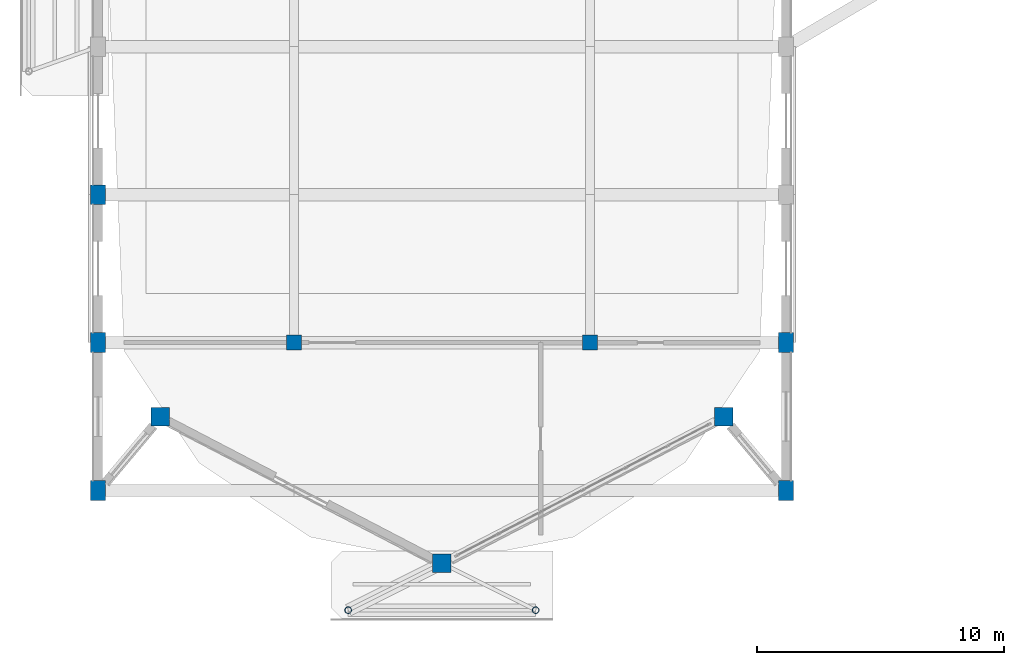
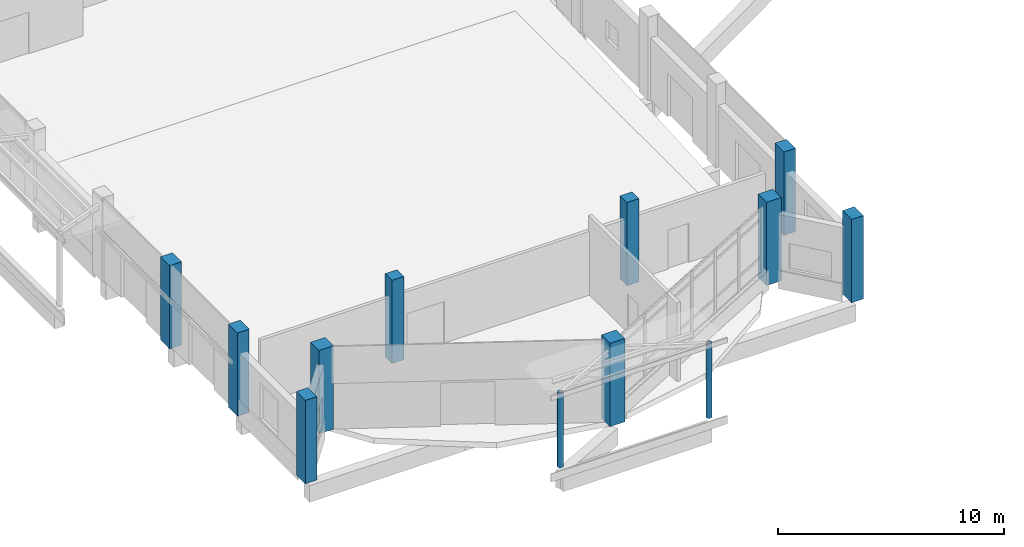
# One storey, part 1 of 129: 12 columns.
"""IFC4 building model written with IfcOpenShell, lengths in metres."""

from ifc_helpers import new_model, si_unit, direction, frame, origin, origin_2d, place, context, subcontext, project, spatial, rectangle, hollow_circle, extrude, material, material_profile, profile_set, type_object, element, save


model = new_model("IFC4")

# Units and contexts
model_context = context("Model", 3, precision=1e-05, world=origin(), true_north=direction((0.0, 1.0)))
body_context = subcontext(model_context, "Body", "Model", "MODEL_VIEW")
ifc_project = project(units=[si_unit("LENGTHUNIT", "METRE"), si_unit("AREAUNIT", "SQUARE_METRE"), si_unit("VOLUMEUNIT", "CUBIC_METRE"), si_unit("PLANEANGLEUNIT", "RADIAN"), si_unit("MASSUNIT", "GRAM", prefix="KILO")], contexts=[model_context])

# Site, building, storey
site_placement = place(None, origin())
site = spatial("IfcSite", under=ifc_project, at=site_placement, CompositionType="ELEMENT")
building_placement = place(site_placement, origin())
building = spatial("IfcBuilding", under=site, at=building_placement, Name="Vespera Passage Community Centre", CompositionType="ELEMENT")
storey_placement = place(building_placement, origin())
storey = spatial("IfcBuildingStorey", under=building, at=storey_placement, Name="L00", CompositionType="ELEMENT", Elevation=0.0)

# Columns
ifc_material_1 = material(Name="Steel ASTM A500 Grade C", Category="steel")
ifc_material_profile_1 = material_profile(ifc_material_1, hollow_circle(Radius=0.136474609375, WallThickness=0.01171875, at=origin_2d()), Name="CHS273X12.7")
ifc_profile_set_1 = profile_set([ifc_material_profile_1], Name="Steel ASTM A500 Grade C")
column_type_1 = type_object("IfcColumnType", Name="COL-CHS273E", PredefinedType="COLUMN", material=ifc_profile_set_1)
for number, where, z_axis, x_axis, name in (
    (1, (14.199951171875, 2.14990234375, 0.0), (0.0, 0.0, 1.0), (1.0, 0.0, 0.0), "L00 Pier EC2-C01"),
    (2, (21.800048828125, 2.14990234375, 0.0), (0.0, 0.0, 1.0), (1.0, 0.0, 0.0), "L00 Pier EC2-C02"),
):
    element("IfcColumn", number, at=place(storey_placement, frame(where, z_axis=z_axis, x_axis=x_axis)), inside=storey, type_object=column_type_1, Name=name, PredefinedType="COLUMN", context=body_context, shape_type="SweptSolid", body=[
        extrude(hollow_circle(Radius=0.136474609375, WallThickness=0.01171875, at=origin_2d()), origin(), (0.0, 0.0, 1.0), 4.010009765625),
    ])
ifc_material_2 = material(Name="Concrete f'c 45 MPa", Category="concrete")
ifc_material_profile_2 = material_profile(ifc_material_2, rectangle(XDim=0.60009765625, YDim=0.60009765625, at=origin_2d()), Name="RC600X600")
ifc_profile_set_2 = profile_set([ifc_material_profile_2], Name="Concrete f'c 45 MPa")
column_type_2 = type_object("IfcColumnType", Name="COL-RC600I", PredefinedType="COLUMN", material=ifc_profile_set_2)
for number, where, z_axis, x_axis, name in (
    (3, (12.0, 13.0, 0.0), (0.0, 0.0, 1.0), (1.0, 0.0, 0.0), "L00 Column V1-B1-11"),
    (4, (24.0, 13.0, 0.0), (0.0, 0.0, 1.0), (1.0, 0.0, 0.0), "L00 Column V1-B1-21"),
):
    element("IfcColumn", number, at=place(storey_placement, frame(where, z_axis=z_axis, x_axis=x_axis)), inside=storey, type_object=column_type_2, Name=name, PredefinedType="COLUMN", context=body_context, shape_type="SweptSolid", body=[
        extrude(rectangle(XDim=0.60009765625, YDim=0.60009765625, at=origin_2d()), origin(), (0.0, 0.0, 1.0), 4.5),
    ])
ifc_material_3 = material(Name="Concrete f'c 45 MPa", Category="concrete")
ifc_material_profile_3 = material_profile(ifc_material_3, rectangle(XDim=0.75, YDim=0.75, at=origin_2d()), Name="RC750X750")
ifc_profile_set_3 = profile_set([ifc_material_profile_3], Name="Concrete f'c 45 MPa")
column_type_3 = type_object("IfcColumnType", Name="COL-RC750E", PredefinedType="COLUMN", material=ifc_profile_set_3)
for number, where, z_axis, x_axis, name in (
    (5, (6.57275390625, 9.99853515625, 0.0), (0.0, 0.0, 1.0), (1.0, 0.0, 0.0), "L00 Column V1-AS1"),
    (6, (18.0, 4.050048828125, 0.0), (0.0, 0.0, 1.0), (1.0, 0.0, 0.0), "L00 Column V1-AS2"),
    (7, (29.42724609375, 9.99853515625, 0.0), (0.0, 0.0, 1.0), (1.0, 0.0, 0.0), "L00 Column V1-AS3"),
):
    element("IfcColumn", number, at=place(storey_placement, frame(where, z_axis=z_axis, x_axis=x_axis)), inside=storey, type_object=column_type_3, Name=name, PredefinedType="COLUMN", context=body_context, shape_type="SweptSolid", body=[
        extrude(rectangle(XDim=0.75, YDim=0.75, at=origin_2d()), origin(), (0.0, 0.0, 1.0), 4.5),
    ])
ifc_material_4 = material(Name="Concrete f'c 45 MPa", Category="concrete")
ifc_material_profile_4 = material_profile(ifc_material_4, rectangle(XDim=0.60009765625, YDim=0.800048828125, at=origin_2d()), Name="RC800X600")
ifc_profile_set_4 = profile_set([ifc_material_profile_4], Name="Concrete f'c 45 MPa")
column_type_4 = type_object("IfcColumnType", Name="COL-RC800X600E", PredefinedType="COLUMN", material=ifc_profile_set_4)
for number, where, z_axis, x_axis, name in (
    (8, (31.949951171875, 7.0, 0.0), (0.0, 0.0, 1.0), (1.0, 0.0, 0.0), "L00 Column V1-E1"),
    (9, (31.949951171875, 13.0, 0.0), (0.0, 0.0, 1.0), (1.0, 0.0, 0.0), "L00 Column V1-E2"),
    (10, (4.050048828125, 7.0, 0.0), (0.0, 0.0, 1.0), (1.0, 0.0, 0.0), "L00 Column V1-W1"),
    (11, (4.050048828125, 13.0, 0.0), (0.0, 0.0, 1.0), (1.0, 0.0, 0.0), "L00 Column V1-W2"),
    (12, (4.050048828125, 19.0, 0.0), (0.0, 0.0, 1.0), (1.0, 0.0, 0.0), "L00 Column V1-W3"),
):
    element("IfcColumn", number, at=place(storey_placement, frame(where, z_axis=z_axis, x_axis=x_axis)), inside=storey, type_object=column_type_4, Name=name, PredefinedType="COLUMN", context=body_context, shape_type="SweptSolid", body=[
        extrude(rectangle(XDim=0.60009765625, YDim=0.800048828125, at=origin_2d()), origin(), (0.0, 0.0, 1.0), 4.5),
    ])

save(model, "model.ifc")
